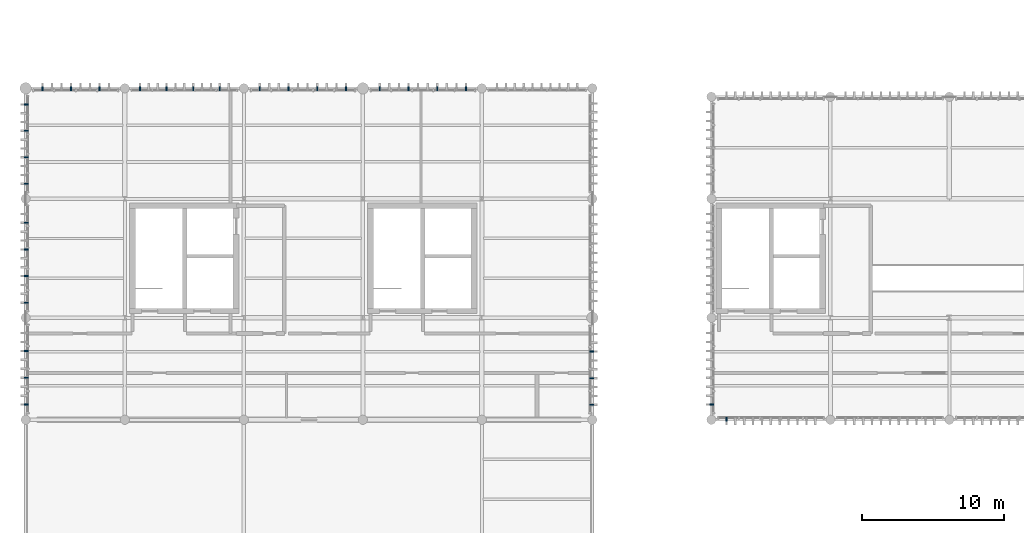
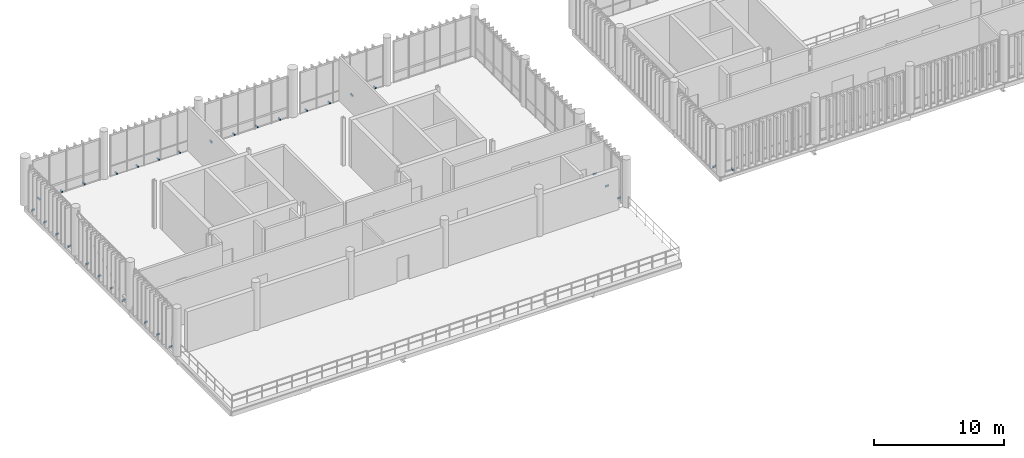
# One storey, part 59 of 66: 31 discrete accessories.
"""IFC4 building model written with IfcOpenShell, lengths in metres."""

from ifc_helpers import new_model, si_unit, direction, frame, origin_with_axes, origin_2d_with_axis, place, context, subcontext, project, spatial, rectangle, extrude, material, type_object, element, save


model = new_model("IFC4")

# Units and contexts
model_context = context("Model", 3, precision=1e-05, world=origin_with_axes(), true_north=direction((0.0, 1.0)))
body_context = subcontext(model_context, "Body", "Model", "MODEL_VIEW")
ifc_project = project(units=[si_unit("LENGTHUNIT", "METRE"), si_unit("AREAUNIT", "SQUARE_METRE"), si_unit("VOLUMEUNIT", "CUBIC_METRE"), si_unit("PLANEANGLEUNIT", "RADIAN"), si_unit("MASSUNIT", "GRAM", prefix="KILO"), si_unit("THERMODYNAMICTEMPERATUREUNIT", "KELVIN")], contexts=[model_context])

# Site, building, storey
site_placement = place(None, origin_with_axes())
site = spatial("IfcSite", under=ifc_project, at=site_placement, CompositionType="ELEMENT")
building_placement = place(site_placement, origin_with_axes())
building = spatial("IfcBuilding", under=site, at=building_placement, Name="Montbau Bow Law Courts", CompositionType="ELEMENT")
storey_placement = place(building_placement, frame((0.0, 0.0, 34.5), z_axis=(0.0, 0.0, 1.0), x_axis=(1.0, 0.0, 0.0)))
storey = spatial("IfcBuildingStorey", under=building, at=storey_placement, Name="L07", CompositionType="ELEMENT", Elevation=34.5)

# Discrete accessories
ifc_material = material(Name="Stainless Steel AISI 316L Outrigger Louvre Bracket", Category="steel")
discrete_accessory_type = type_object("IfcDiscreteAccessoryType", Name="DA-BRK-01", PredefinedType="BRACKET", material=ifc_material)
for number, where, z_axis, x_axis, name in (
    (1, (7.987, 62.36, 34.5), (0.0, 0.0, 1.0), (0.0, 1.0, 0.0), "BRK-L07-0367:brk_0367"),
    (2, (10.002, 62.36, 34.5), (0.0, 0.0, 1.0), (0.0, 1.0, 0.0), "BRK-L07-0368:brk_0368"),
    (3, (12.017, 62.36, 34.5), (0.0, 0.0, 1.0), (0.0, 1.0, 0.0), "BRK-L07-0369:brk_0369"),
    (4, (14.867, 62.36, 34.5), (0.0, 0.0, 1.0), (0.0, 1.0, 0.0), "BRK-L07-0370:brk_0370"),
    (5, (16.747, 62.36, 34.5), (0.0, 0.0, 1.0), (0.0, 1.0, 0.0), "BRK-L07-0371:brk_0371"),
    (6, (18.627, 62.36, 34.5), (0.0, 0.0, 1.0), (0.0, 1.0, 0.0), "BRK-L07-0372:brk_0372"),
    (7, (20.507, 62.36, 34.5), (0.0, 0.0, 1.0), (0.0, 1.0, 0.0), "BRK-L07-0373:brk_0373"),
    (8, (23.317, 62.36, 34.5), (0.0, 0.0, 1.0), (0.0, 1.0, 0.0), "BRK-L07-0374:brk_0374"),
    (9, (25.347, 62.36, 34.5), (0.0, 0.0, 1.0), (0.0, 1.0, 0.0), "BRK-L07-0375:brk_0375"),
    (10, (27.378, 62.36, 34.5), (0.0, 0.0, 1.0), (0.0, 1.0, 0.0), "BRK-L07-0376:brk_0376"),
    (11, (29.408, 62.36, 34.5), (0.0, 0.0, 1.0), (0.0, 1.0, 0.0), "BRK-L07-0377:brk_0377"),
    (12, (31.792, 62.36, 34.5), (0.0, 0.0, 1.0), (0.0, 1.0, 0.0), "BRK-L07-0378:brk_0378"),
    (13, (33.822, 62.36, 34.5), (0.0, 0.0, 1.0), (0.0, 1.0, 0.0), "BRK-L07-0379:brk_0379"),
    (14, (35.853, 62.36, 34.5), (0.0, 0.0, 1.0), (0.0, 1.0, 0.0), "BRK-L07-0380:brk_0380"),
    (15, (37.883, 62.36, 34.5), (0.0, 0.0, 1.0), (0.0, 1.0, 0.0), "BRK-L07-0381:brk_0381"),
    (16, (6.84, 40.072, 34.5), (0.0, 0.0, 1.0), (-1.0, 0.0, 0.0), "BRK-L07-0386:brk_0386"),
    (17, (6.84, 41.968, 34.5), (0.0, 0.0, 1.0), (-1.0, 0.0, 0.0), "BRK-L07-0387:brk_0387"),
    (18, (6.84, 43.864, 34.5), (0.0, 0.0, 1.0), (-1.0, 0.0, 0.0), "BRK-L07-0388:brk_0388"),
    (19, (6.84, 47.267, 34.5), (0.0, 0.0, 1.0), (-1.0, 0.0, 0.0), "BRK-L07-0389:brk_0389"),
    (20, (6.84, 49.147, 34.5), (0.0, 0.0, 1.0), (-1.0, 0.0, 0.0), "BRK-L07-0390:brk_0390"),
    (21, (6.84, 51.027, 34.5), (0.0, 0.0, 1.0), (-1.0, 0.0, 0.0), "BRK-L07-0391:brk_0391"),
    (22, (6.84, 52.907, 34.5), (0.0, 0.0, 1.0), (-1.0, 0.0, 0.0), "BRK-L07-0392:brk_0392"),
    (23, (6.84, 55.662, 34.5), (0.0, 0.0, 1.0), (-1.0, 0.0, 0.0), "BRK-L07-0393:brk_0393"),
    (24, (6.84, 57.529, 34.5), (0.0, 0.0, 1.0), (-1.0, 0.0, 0.0), "BRK-L07-0394:brk_0394"),
    (25, (6.84, 59.396, 34.5), (0.0, 0.0, 1.0), (-1.0, 0.0, 0.0), "BRK-L07-0395:brk_0395"),
    (26, (6.84, 61.263, 34.5), (0.0, 0.0, 1.0), (-1.0, 0.0, 0.0), "BRK-L07-0396:brk_0396"),
    (27, (46.76, 40.065, 34.5), (0.0, 0.0, 1.0), (1.0, 0.0, 0.0), "BRK-L07-0397:brk_0397"),
    (28, (46.76, 41.938, 34.5), (0.0, 0.0, 1.0), (1.0, 0.0, 0.0), "BRK-L07-0398:brk_0398"),
    (29, (46.76, 43.812, 34.5), (0.0, 0.0, 1.0), (1.0, 0.0, 0.0), "BRK-L07-0399:brk_0399"),
    (30, (56.267, 39.04, 34.5), (0.0, 0.0, 1.0), (0.0, -1.0, 0.0), "BRK-L07-0795:brk_0795"),
    (31, (55.24, 40.072, 34.5), (0.0, 0.0, 1.0), (-1.0, 0.0, 0.0), "BRK-L07-0843:brk_0843"),
):
    element("IfcDiscreteAccessory", number, at=place(None, frame(where, z_axis=z_axis, x_axis=x_axis)), inside=storey, type_object=discrete_accessory_type, Name=name, PredefinedType="BRACKET", context=body_context, shape_type="SweptSolid", body=[
        extrude(rectangle(XDim=0.28, YDim=0.09, at=origin_2d_with_axis()), origin_with_axes(), (0.0, 0.0, 1.0), 0.12),
    ])

save(model, "model.ifc")
